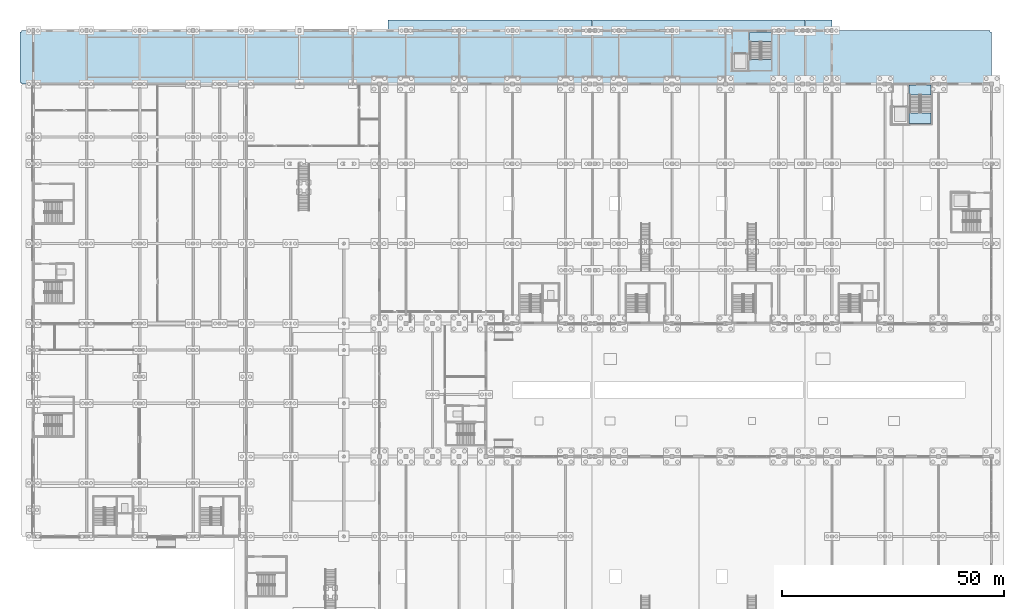
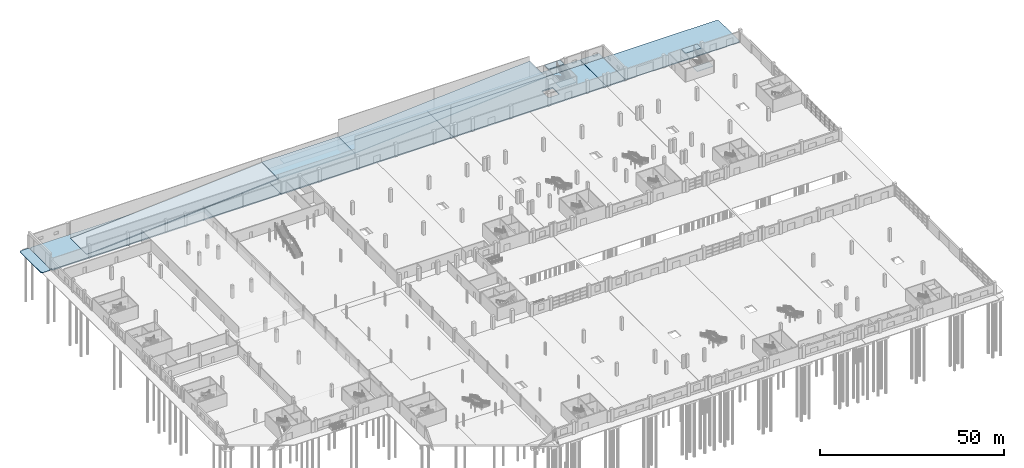
# One storey, part 51 of 77: 16 slabs, 2 elements without a shape of their own.
"""IFC4 building model written with IfcOpenShell, lengths in metres."""

from ifc_helpers import new_model, si_unit, direction, frame, origin, place, context, subcontext, project, spatial, polyline, outline, extrude, material, layer, layer_set, type_object, element, aggregate, save


model = new_model("IFC4")

# Units and contexts
model_context = context("Model", 3, precision=1e-05, world=origin(), true_north=direction((0.0, 1.0)))
body_context = subcontext(model_context, "Body", "Model", "MODEL_VIEW")
ifc_project = project(units=[si_unit("LENGTHUNIT", "METRE"), si_unit("AREAUNIT", "SQUARE_METRE"), si_unit("VOLUMEUNIT", "CUBIC_METRE"), si_unit("PLANEANGLEUNIT", "RADIAN"), si_unit("MASSUNIT", "GRAM", prefix="KILO")], contexts=[model_context])

# Site, building, storey
site_placement = place(None, origin())
site = spatial("IfcSite", under=ifc_project, at=site_placement, CompositionType="ELEMENT")
building_placement = place(site_placement, origin())
building = spatial("IfcBuilding", under=site, at=building_placement, Name="Zilviju Railside Exhibition Hall", CompositionType="ELEMENT")
storey_placement = place(building_placement, origin())
storey = spatial("IfcBuildingStorey", under=building, at=storey_placement, Name="L01", CompositionType="ELEMENT", Elevation=0.0)

# Slabs
ifc_material_1 = material(Name="Concrete C40/50", Category="concrete")
ifc_layer_1 = layer(ifc_material_1, 0.25)
ifc_layer_set_1 = layer_set([ifc_layer_1], Name="Concrete C40/50")
slab_type_1 = type_object("IfcSlabType", Name="SL-BASE-250-EXT", PredefinedType="BASESLAB", material=ifc_layer_set_1)
slab_1_placement = place(storey_placement, frame((0.0, 0.0, -0.25)))
element("IfcSlab", 1, at=slab_1_placement, inside=storey, type_object=slab_type_1, Name="West HGV Truck Gate Entry Apron", PredefinedType="BASESLAB", context=body_context, shape_type="SweptSolid", body=[
    extrude(outline(polyline([(-2.699951171875, 138.0), (-0.300048828125, 138.0), (-0.300048828125, 138.300048828125), (0.0, 138.300048828125), (0.0, 149.699951171875), (-0.300048828125, 149.699951171875), (-0.300048828125, 150.0), (-2.699951171875, 150.0), (-2.699951171875, 149.699951171875), (-3.0, 149.699951171875), (-3.0, 138.300048828125), (-2.699951171875, 138.300048828125), (-2.699951171875, 138.0)])), origin(), (0.0, 0.0, 1.0), 0.25),
])
slab_2_placement = place(storey_placement, frame((0.0, 0.0, -0.25)))
element("IfcSlab", 2, at=slab_2_placement, inside=storey, type_object=slab_type_1, Name="North-East HGV & Core Exit Apron", PredefinedType="BASESLAB", context=body_context, shape_type="SweptSolid", body=[
    extrude(outline(polyline([(180.300048828125, 138.0), (215.699951171875, 138.0), (215.699951171875, 138.300048828125), (216.0, 138.300048828125), (216.0, 149.699951171875), (215.699951171875, 149.699951171875), (215.699951171875, 150.0), (180.300048828125, 150.0), (180.300048828125, 149.699951171875), (180.0, 149.699951171875), (180.0, 138.300048828125), (180.300048828125, 138.300048828125), (180.300048828125, 138.0)])), origin(), (0.0, 0.0, 1.0), 0.25),
])
slab_3_placement = place(storey_placement, frame((0.0, 0.0, -0.25)))
element("IfcSlab", 3, at=slab_3_placement, inside=storey, type_object=slab_type_1, Name="North Railside Emergency Exit Apron West", PredefinedType="BASESLAB", context=body_context, shape_type="SweptSolid", body=[
    extrude(outline(polyline([(80.0, 150.0), (125.969970703125, 150.0), (125.969970703125, 152.39990234375), (80.0, 152.39990234375), (80.0, 150.0)])), origin(), (0.0, 0.0, 1.0), 0.25),
])
slab_4_placement = place(storey_placement, frame((0.0, 0.0, -0.25)))
element("IfcSlab", 4, at=slab_4_placement, inside=storey, type_object=slab_type_1, Name="North Railside Emergency Exit Apron Mid", PredefinedType="BASESLAB", context=body_context, shape_type="SweptSolid", body=[
    extrude(outline(polyline([(126.030029296875, 150.0), (173.969970703125, 150.0), (173.969970703125, 152.39990234375), (126.030029296875, 152.39990234375), (126.030029296875, 150.0)])), origin(), (0.0, 0.0, 1.0), 0.25),
])
slab_5_placement = place(storey_placement, frame((0.0, 0.0, -0.25)))
element("IfcSlab", 5, at=slab_5_placement, inside=storey, type_object=slab_type_1, Name="North Railside Emergency Exit Apron East", PredefinedType="BASESLAB", context=body_context, shape_type="SweptSolid", body=[
    extrude(outline(polyline([(174.030029296875, 150.0), (180.0, 150.0), (180.0, 152.39990234375), (174.030029296875, 152.39990234375), (174.030029296875, 150.0)])), origin(), (0.0, 0.0, 1.0), 0.25),
])
ifc_material_2 = material(Name="Concrete C35/45", Category="concrete")
ifc_layer_2 = layer(ifc_material_2, 0.39990234375)
ifc_layer_set_2 = layer_set([ifc_layer_2], Name="Concrete C35/45")
slab_type_2 = type_object("IfcSlabType", Name="SL-BASE-400", PredefinedType="BASESLAB", material=ifc_layer_set_2)
slab_6_placement = place(storey_placement, frame((0.0, 0.0, -0.39990234375)))
element("IfcSlab", 6, at=slab_6_placement, inside=storey, type_object=slab_type_2, Name="Logistics Wing Base Slab 1", PredefinedType="BASESLAB", context=body_context, shape_type="SweptSolid", body=[
    extrude(outline(polyline([(0.449951171875, 138.0), (71.550048828125, 138.0), (71.550048828125, 138.449951171875), (72.0, 138.449951171875), (72.0, 149.550048828125), (71.550048828125, 149.550048828125), (71.550048828125, 150.0), (0.449951171875, 150.0), (0.449951171875, 149.550048828125), (0.0, 149.550048828125), (0.0, 138.449951171875), (0.449951171875, 138.449951171875), (0.449951171875, 138.0)]), holes=[polyline([(12.0, 139.60009765625), (17.02001953125, 139.60009765625), (17.02001953125, 148.39990234375), (12.0, 148.39990234375), (12.0, 139.60009765625)])]), origin(), (0.0, 0.0, 1.0), 0.39990234375),
])
slab_7_placement = place(storey_placement, frame((0.0, 0.0, -0.39990234375)))
element("IfcSlab", 7, at=slab_7_placement, inside=storey, type_object=slab_type_2, Name="Logistics Wing Base Slab 2", PredefinedType="BASESLAB", context=body_context, shape_type="SweptSolid", body=[
    extrude(outline(polyline([(72.0, 138.0), (125.969970703125, 138.0), (125.969970703125, 150.0), (72.0, 150.0), (72.0, 138.0)])), origin(), (0.0, 0.0, 1.0), 0.39990234375),
])
slab_8_placement = place(storey_placement, frame((0.0, 0.0, -0.39990234375)))
element("IfcSlab", 8, at=slab_8_placement, inside=storey, type_object=slab_type_2, Name="Logistics Wing Base Slab 3", PredefinedType="BASESLAB", context=body_context, shape_type="SweptSolid", body=[
    extrude(outline(polyline([(126.030029296875, 138.0), (173.969970703125, 138.0), (173.969970703125, 150.0), (126.030029296875, 150.0), (126.030029296875, 138.0)]), holes=[polyline([(157.64990234375, 141.050048828125), (161.10009765625, 141.050048828125), (161.10009765625, 144.699951171875), (157.64990234375, 144.699951171875), (157.64990234375, 141.050048828125)])]), origin(), (0.0, 0.0, 1.0), 0.39990234375),
])
slab_9_placement = place(storey_placement, frame((0.0, 0.0, -0.39990234375)))
element("IfcSlab", 9, at=slab_9_placement, inside=storey, type_object=slab_type_2, Name="Logistics Wing Base Slab 4", PredefinedType="BASESLAB", context=body_context, shape_type="SweptSolid", body=[
    extrude(outline(polyline([(174.030029296875, 138.0), (180.0, 138.0), (180.0, 150.0), (174.030029296875, 150.0), (174.030029296875, 138.0)])), origin(), (0.0, 0.0, 1.0), 0.39990234375),
])

# Stair, slabs
stair_type = type_object("IfcStairType", Name="STAIR-ST-B", PredefinedType="HALF_TURN_STAIR", material=ifc_material_2)
stair_1_placement = place(storey_placement, origin())
stair_1 = element("IfcStair", 10, at=stair_1_placement, inside=storey, type_object=stair_type, Name="Core C08 North Hall Rail East Exit Stair L01", PredefinedType="HALF_TURN_STAIR")
ifc_layer_3 = layer(ifc_material_2, 0.199951171875)
ifc_layer_set_3 = layer_set([ifc_layer_3], Name="Concrete C35/45")
slab_type_3 = type_object("IfcSlabType", Name="SL-LAND-200", PredefinedType="LANDING", material=ifc_layer_set_3)
slab_10_placement = place(storey_placement, frame((0.0, 0.0, 1.89990234375)))
slab_10 = element("IfcSlab", 11, at=slab_10_placement, type_object=slab_type_3, Name="ST-08 landing 1", PredefinedType="LANDING", context=body_context, shape_type="SweptSolid", body=[
    extrude(outline(polyline([(202.35009765625, 131.469970703125), (197.35009765625, 131.469970703125), (197.35009765625, 129.050048828125), (202.35009765625, 129.050048828125), (202.35009765625, 131.469970703125)])), origin(), (0.0, 0.0, 1.0), 0.2001953125),
])
slab_11_placement = place(storey_placement, frame((0.0, 0.0, 4.0)))
slab_11 = element("IfcSlab", 12, at=slab_11_placement, type_object=slab_type_3, Name="ST-08 landing 2", PredefinedType="LANDING", context=body_context, shape_type="SweptSolid", body=[
    extrude(outline(polyline([(202.35009765625, 137.75), (197.35009765625, 137.75), (197.35009765625, 135.5), (202.35009765625, 135.5), (202.35009765625, 137.75)])), origin(), (0.0, 0.0, 1.0), 0.199951171875),
])
aggregate(stair_1, [slab_10, slab_11])

stair_2_placement = place(storey_placement, origin())
stair_2 = element("IfcStair", 13, at=stair_2_placement, inside=storey, type_object=stair_type, Name="Core C17 Logistics Wing East Exit Stair L01", PredefinedType="HALF_TURN_STAIR")
slab_12_placement = place(storey_placement, frame((0.0, 0.0, 1.89990234375)))
slab_12 = element("IfcSlab", 14, at=slab_12_placement, type_object=slab_type_3, Name="ST-17 landing 1", PredefinedType="LANDING", context=body_context, shape_type="SweptSolid", body=[
    extrude(outline(polyline([(166.35009765625, 143.469970703125), (161.35009765625, 143.469970703125), (161.35009765625, 141.050048828125), (166.35009765625, 141.050048828125), (166.35009765625, 143.469970703125)])), origin(), (0.0, 0.0, 1.0), 0.2001953125),
])
slab_13_placement = place(storey_placement, frame((0.0, 0.0, 4.0)))
slab_13 = element("IfcSlab", 15, at=slab_13_placement, type_object=slab_type_3, Name="ST-17 landing 2", PredefinedType="LANDING", context=body_context, shape_type="SweptSolid", body=[
    extrude(outline(polyline([(166.35009765625, 149.75), (161.35009765625, 149.75), (161.35009765625, 147.5), (166.35009765625, 147.5), (166.35009765625, 149.75)])), origin(), (0.0, 0.0, 1.0), 0.199951171875),
])
aggregate(stair_2, [slab_12, slab_13])

# Slabs
ifc_layer_4 = layer(ifc_material_1, 0.35009765625)
ifc_layer_set_4 = layer_set([ifc_layer_4], Name="Concrete C40/50")
slab_type_4 = type_object("IfcSlabType", Name="SL-LAND-350-HGV", PredefinedType="LANDING", material=ifc_layer_set_4)
slab_14_placement = place(storey_placement, frame((0.0, 0.0, 3.85009765625)))
element("IfcSlab", 16, at=slab_14_placement, inside=storey, type_object=slab_type_4, Name="HGV Truck Ramp R1 Mid Landing", PredefinedType="LANDING", context=body_context, shape_type="SweptSolid", body=[
    extrude(outline(polyline([(72.0, 139.60009765625), (96.0, 139.60009765625), (96.0, 148.39990234375), (72.0, 148.39990234375), (72.0, 139.60009765625)])), origin(), (0.0, 0.0, 1.0), 0.349853515625),
])
ifc_layer_5 = layer(ifc_material_1, 0.22998046875)
ifc_layer_set_5 = layer_set([ifc_layer_5], Name="Concrete C40/50")
slab_type_5 = type_object("IfcSlabType", Name="SL-RAMP-230", PredefinedType="FLOOR", material=ifc_layer_set_5)
slab_15_placement = place(storey_placement, frame((12.0, 139.60009765625, -0.1201171875), z_axis=(-0.069831309642, 0.0, 0.997558814403), x_axis=(0.997558814403, 0.0, 0.069831309642)))
element("IfcSlab", 17, at=slab_15_placement, inside=storey, type_object=slab_type_5, Name="HGV Truck Ramp R1 Structural Slab 1", PredefinedType="FLOOR", context=body_context, shape_type="SweptSolid", body=[
    extrude(outline(polyline([(0.0, 0.0), (60.12676105180489, 0.0), (60.12676105180489, 8.7998046875), (0.0, 8.7998046875), (0.0, 0.0)])), origin(), (0.0, 0.0, -1.0), 0.22998046875),
])
slab_16_placement = place(storey_placement, frame((96.0, 139.60009765625, 4.080078125), z_axis=(-0.069827269008, 0.0, 0.997559097248), x_axis=(0.997559097248, 0.0, 0.069827269008)))
element("IfcSlab", 18, at=slab_16_placement, inside=storey, type_object=slab_type_5, Name="HGV Truck Ramp R1 Structural Slab 2", PredefinedType="FLOOR", context=body_context, shape_type="SweptSolid", body=[
    extrude(outline(polyline([(0.0, 0.0), (60.12674400363855, 0.0), (60.12674400363855, 8.7998046875), (0.0, 8.7998046875), (0.0, 0.0)])), origin(), (0.0, 0.0, -1.0), 0.22998046875),
])

save(model, "model.ifc")
